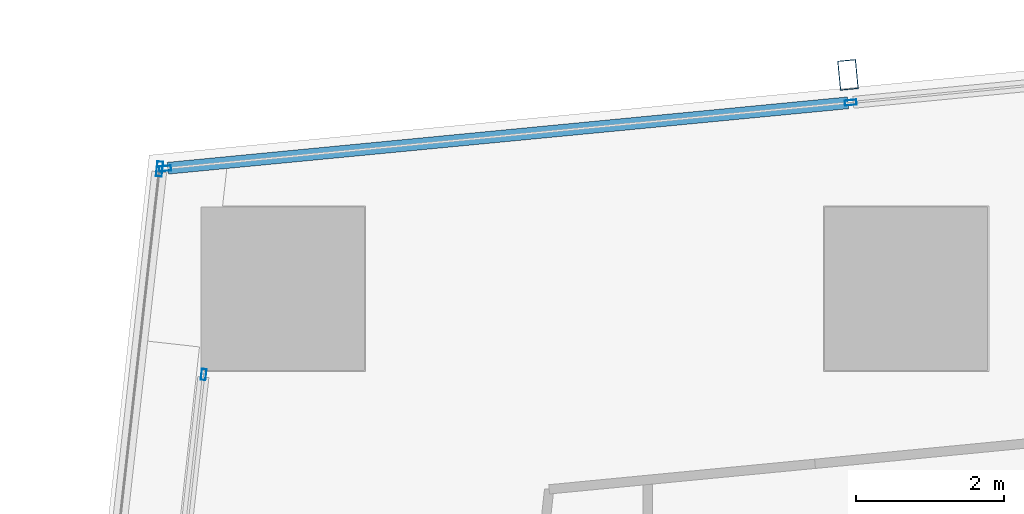
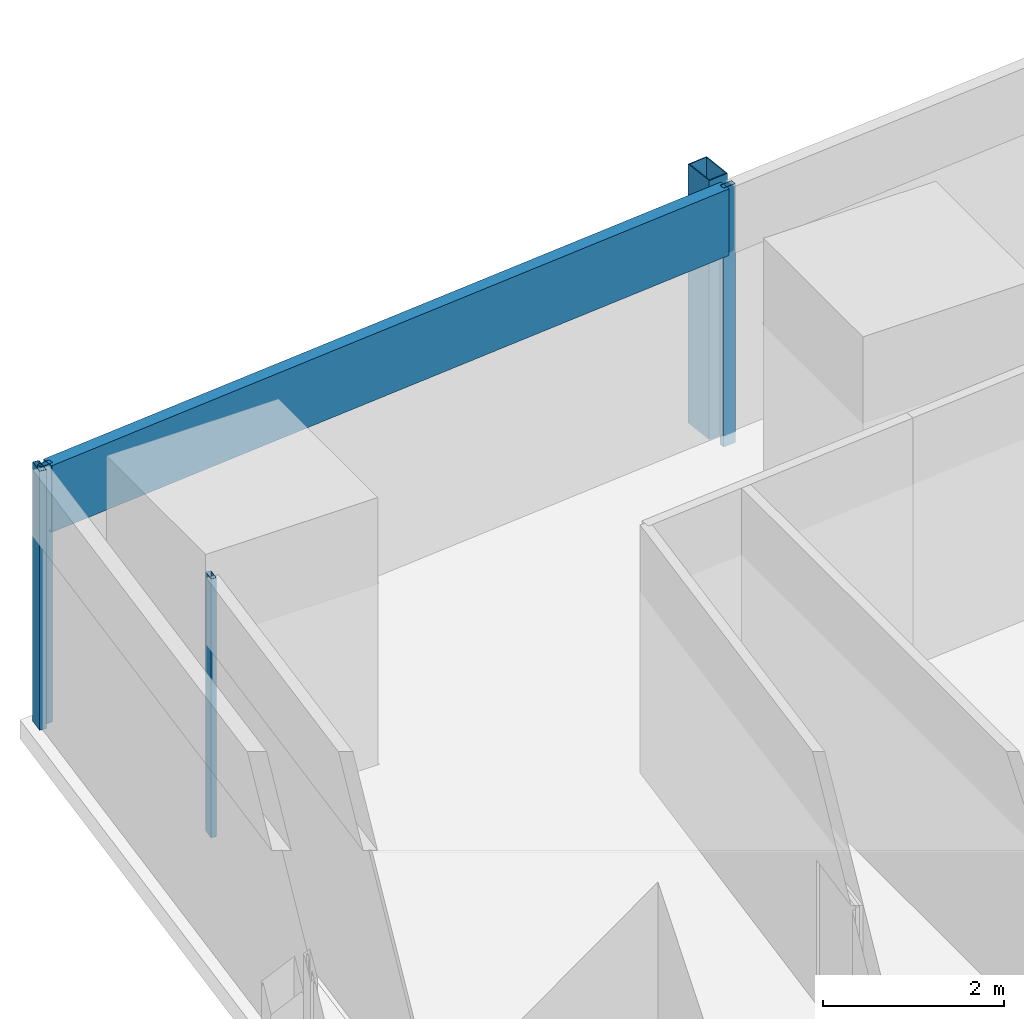
# One storey, part 16 of 44: 6 members, 3 elements without a shape of their own.
"""IFC4 building model written with IfcOpenShell, lengths in metres."""

from ifc_helpers import new_model, si_unit, direction, frame, origin, origin_2d, place, context, subcontext, project, spatial, hollow_rectangle, extrude, material, material_profile, profile_set, type_object, element, aggregate, save


model = new_model("IFC4")

# Units and contexts
model_context = context("Model", 3, precision=1e-05, world=origin(), true_north=direction((0.0, 1.0)))
body_context = subcontext(model_context, "Body", "Model", "MODEL_VIEW")
ifc_project = project(units=[si_unit("LENGTHUNIT", "METRE"), si_unit("AREAUNIT", "SQUARE_METRE"), si_unit("VOLUMEUNIT", "CUBIC_METRE"), si_unit("PLANEANGLEUNIT", "RADIAN"), si_unit("MASSUNIT", "GRAM", prefix="KILO")], contexts=[model_context])

# Site, building, storey
site_placement = place(None, origin())
site = spatial("IfcSite", under=ifc_project, at=site_placement, CompositionType="ELEMENT")
building_placement = place(site_placement, origin())
building = spatial("IfcBuilding", under=site, at=building_placement, Name="Rekha Terrace Tower", CompositionType="ELEMENT")
storey_placement = place(building_placement, frame((0.0, 0.0, 47.89990234375)))
storey = spatial("IfcBuildingStorey", under=building, at=storey_placement, Name="L11", CompositionType="ELEMENT", Elevation=47.89990234375)

# Curtain wall, member
ifc_material_1 = material(Name="Aluminium framing", Category="aluminium")
curtain_wall_type_1 = type_object("IfcCurtainWallType", Name="CW3 north unitised glazing", PredefinedType="USERDEFINED", material=ifc_material_1)
curtain_wall_1_placement = place(storey_placement, origin())
curtain_wall_1 = element("IfcCurtainWall", 1, at=curtain_wall_1_placement, inside=storey, type_object=curtain_wall_type_1, Name="CW3 unitised curtain wall", ObjectType="UNITISED CURTAIN WALL", PredefinedType="USERDEFINED")
ifc_material_2 = material(Name="Steel S355 with fluorocarbon finish", Category="steel")
ifc_material_profile_1 = material_profile(ifc_material_2, hollow_rectangle(XDim=0.25, YDim=0.39990234375, WallThickness=0.012451171875, at=origin_2d()), Name="RHS400x250x12.5")
ifc_profile_set_1 = profile_set([ifc_material_profile_1], Name="Steel S355 with fluorocarbon finish")
member_type_1 = type_object("IfcMemberType", Name="BL1 facade blade RHS 400 x 250", PredefinedType="USERDEFINED", material=ifc_profile_set_1)
member_1_placement = place(storey_placement, frame((16.01708984375, 61.681396484375, 0.0), z_axis=(0.0, 0.0, 1.0), x_axis=(-0.995409070123, -0.095711980009, 0.0)))
member_1 = element("IfcMember", 2, at=member_1_placement, type_object=member_type_1, Name="Facade blade", ObjectType="FACADE BLADE", PredefinedType="USERDEFINED", context=body_context, shape_type="SweptSolid", body=[
    extrude(hollow_rectangle(XDim=0.25, YDim=0.39990234375, WallThickness=0.012451171875, at=origin_2d()), origin(), (0.0, 0.0, 1.0), 3.5),
])

curtain_wall_type_2 = type_object("IfcCurtainWallType", Name="CW1 double skin inner glazing", PredefinedType="USERDEFINED", material=ifc_material_1)
curtain_wall_2_placement = place(storey_placement, origin())
curtain_wall_2 = element("IfcCurtainWall", 3, at=curtain_wall_2_placement, inside=storey, type_object=curtain_wall_type_2, Name="CW1 double skin inner glazing", ObjectType="DOUBLE SKIN INNER GLAZING", PredefinedType="USERDEFINED")
ifc_material_3 = material(Name="Aluminium mullion section", Category="aluminium")
ifc_material_profile_2 = material_profile(ifc_material_3, hollow_rectangle(XDim=0.06494140625, YDim=0.14990234375, WallThickness=0.00390625, at=origin_2d()), Name="AL RHS 65x150")
ifc_profile_set_2 = profile_set([ifc_material_profile_2], Name="Aluminium mullion section")
member_type_2 = type_object("IfcMemberType", Name="CW1 mullion RHS 65 x 150", PredefinedType="MULLION", material=ifc_profile_set_2)
member_2_placement = place(storey_placement, frame((7.334228515625, 57.643310546875, 0.0), z_axis=(0.0, 0.0, 1.0), x_axis=(0.993738615524, -0.111729870748, 0.0)))
member_2 = element("IfcMember", 4, at=member_2_placement, type_object=member_type_2, Name="CW1 mullion 1", PredefinedType="MULLION", context=body_context, shape_type="SweptSolid", body=[
    extrude(hollow_rectangle(XDim=0.06494140625, YDim=0.14990234375, WallThickness=0.00390625, at=origin_2d()), origin(), (0.0, 0.0, 1.0), 3.5),
])
aggregate(curtain_wall_2, [member_2])

curtain_wall_type_3 = type_object("IfcCurtainWallType", Name="CW2 double skin outer glazing", PredefinedType="USERDEFINED", material=ifc_material_1)
curtain_wall_3_placement = place(storey_placement, origin())
curtain_wall_3 = element("IfcCurtainWall", 5, at=curtain_wall_3_placement, inside=storey, type_object=curtain_wall_type_3, Name="CW2 double skin outer glazing", ObjectType="DOUBLE SKIN OUTER GLAZING", PredefinedType="USERDEFINED")
ifc_material_profile_3 = material_profile(ifc_material_3, hollow_rectangle(XDim=0.080078125, YDim=0.199951171875, WallThickness=0.00390625, at=origin_2d()), Name="AL RHS 80x200")
ifc_profile_set_3 = profile_set([ifc_material_profile_3], Name="Aluminium mullion section")
member_type_3 = type_object("IfcMemberType", Name="CW2 mullion RHS 80 x 200", PredefinedType="MULLION", material=ifc_profile_set_3)
member_3_placement = place(storey_placement, frame((6.739990234375, 60.413330078125, 0.0), z_axis=(0.0, 0.0, 1.0), x_axis=(0.99373861552, -0.111729870782, 0.0)))
member_3 = element("IfcMember", 6, at=member_3_placement, type_object=member_type_3, Name="CW2 mullion 1", PredefinedType="MULLION", context=body_context, shape_type="SweptSolid", body=[
    extrude(hollow_rectangle(XDim=0.080078125, YDim=0.199951171875, WallThickness=0.00390625, at=origin_2d()), origin(), (0.0, 0.0, 1.0), 3.5),
])
aggregate(curtain_wall_3, [member_3])

# Member
ifc_material_profile_4 = material_profile(ifc_material_3, hollow_rectangle(XDim=0.070068359375, YDim=0.159912109375, WallThickness=0.00390625, at=origin_2d()), Name="AL RHS 70x160")
ifc_profile_set_4 = profile_set([ifc_material_profile_4], Name="Aluminium mullion section")
member_type_4 = type_object("IfcMemberType", Name="CW3 mullion RHS 70 x 160", PredefinedType="MULLION", material=ifc_profile_set_4)
member_4_placement = place(storey_placement, frame((16.052978515625, 61.30810546875, 0.0), z_axis=(0.0, 0.0, 1.0), x_axis=(0.095712406625, -0.995409029102, 0.0)))
member_4 = element("IfcMember", 7, at=member_4_placement, type_object=member_type_4, Name="CW3 mullion 2", PredefinedType="MULLION", context=body_context, shape_type="SweptSolid", body=[
    extrude(hollow_rectangle(XDim=0.070068359375, YDim=0.159912109375, WallThickness=0.00390625, at=origin_2d()), origin(), (0.0, 0.0, 1.0), 3.5),
])

member_5_placement = place(storey_placement, frame((6.8154296875, 60.419677734375, 0.0), z_axis=(0.0, 0.0, 1.0), x_axis=(0.095712406625, -0.995409029102, 0.0)))
member_5 = element("IfcMember", 8, at=member_5_placement, type_object=member_type_4, Name="CW3 mullion 3", PredefinedType="MULLION", context=body_context, shape_type="SweptSolid", body=[
    extrude(hollow_rectangle(XDim=0.070068359375, YDim=0.159912109375, WallThickness=0.00390625, at=origin_2d()), origin(), (0.0, 0.0, 1.0), 3.5),
])

ifc_material_4 = material(Name="Insulated aluminium spandrel box", Category="aluminium")
ifc_material_profile_5 = material_profile(ifc_material_4, hollow_rectangle(XDim=0.159912109375, YDim=0.89990234375, WallThickness=0.0029296875, at=origin_2d()), Name="AL SPANDREL BOX 160x900")
ifc_profile_set_5 = profile_set([ifc_material_profile_5], Name="Insulated aluminium spandrel box")
member_type_5 = type_object("IfcMemberType", Name="CW3 spandrel transom 160 x 900", PredefinedType="USERDEFINED", material=ifc_profile_set_5)
member_6_placement = place(storey_placement, frame((16.018310546875, 61.3046875, 3.050048828125), z_axis=(-0.995408446287, -0.095718467713, 0.0), x_axis=(0.095718467713, -0.995408446287, 0.0)))
member_6 = element("IfcMember", 9, at=member_6_placement, type_object=member_type_5, Name="CW3 spandrel transom 2", ObjectType="TRANSOM", PredefinedType="USERDEFINED", context=body_context, shape_type="SweptSolid", body=[
    extrude(hollow_rectangle(XDim=0.159912109375, YDim=0.89990234375, WallThickness=0.0029296875, at=origin_2d()), origin(), (0.0, 0.0, 1.0), 9.210205078125),
])

aggregate(curtain_wall_1, [member_4, member_5, member_6, member_1])

save(model, "model.ifc")
